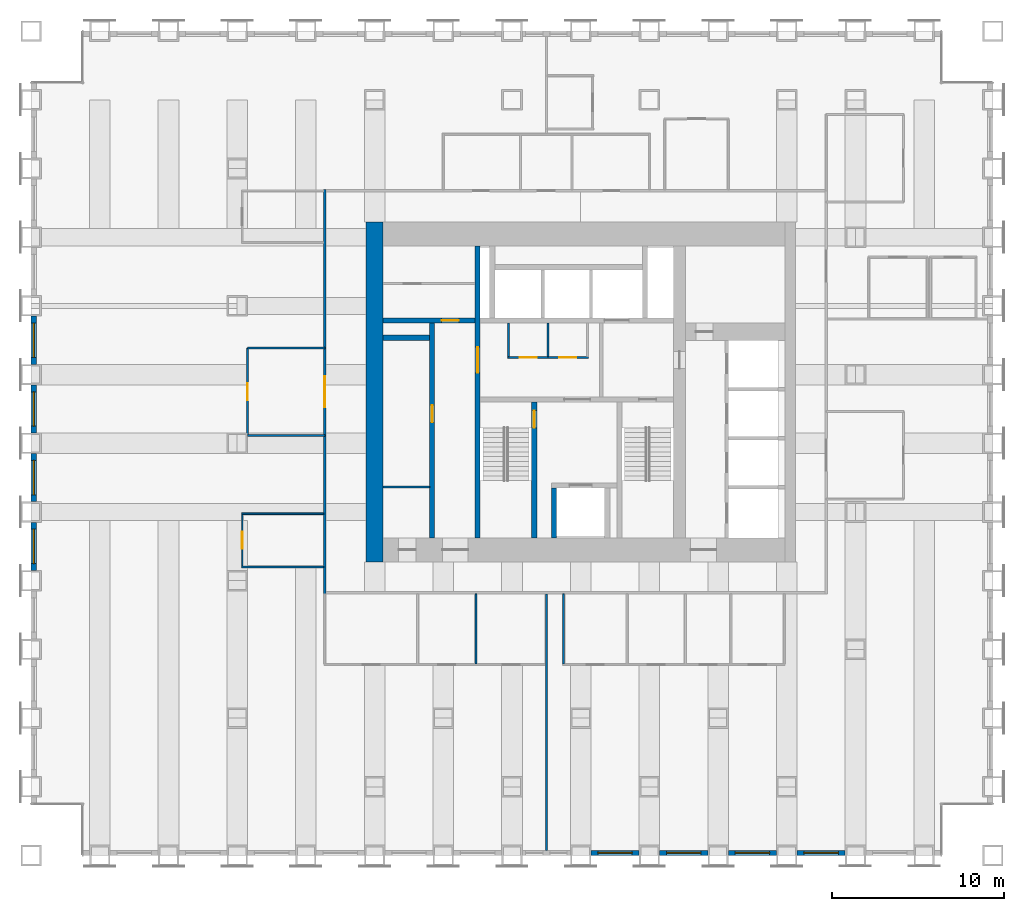
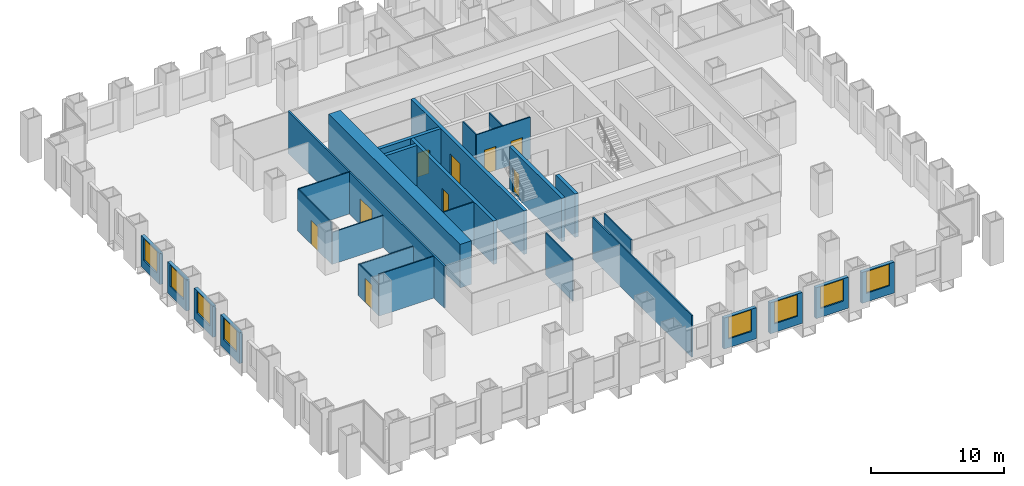
# One storey, part 8 of 14: 29 walls, 9 doors, 8 windows, 17 openings.
"""IFC4 building model written with IfcOpenShell, lengths in metres."""

from ifc_helpers import new_model, si_unit, direction, frame, frame_2d, origin, place, context, subcontext, project, spatial, rectangle, extrude, material, layer, layer_set, type_object, element, fill, save


model = new_model("IFC4")

# Units and contexts
model_context = context("Model", 3, precision=1e-05, world=origin(), true_north=direction((0.0, 1.0)))
body_context = subcontext(model_context, "Body", "Model", "MODEL_VIEW")
ifc_project = project(units=[si_unit("LENGTHUNIT", "METRE"), si_unit("AREAUNIT", "SQUARE_METRE"), si_unit("VOLUMEUNIT", "CUBIC_METRE"), si_unit("PLANEANGLEUNIT", "RADIAN"), si_unit("MASSUNIT", "GRAM", prefix="KILO")], contexts=[model_context])

# Site, building, storey
site_placement = place(None, origin())
site = spatial("IfcSite", under=ifc_project, at=site_placement, CompositionType="ELEMENT")
building_placement = place(site_placement, origin())
building = spatial("IfcBuilding", under=site, at=building_placement, Name="Rimbunsela Tower", CompositionType="ELEMENT")
storey_placement = place(building_placement, frame((0.0, 0.0, 47.0)))
storey = spatial("IfcBuildingStorey", under=building, at=storey_placement, Name="L11", CompositionType="ELEMENT", Elevation=47.0)

# Wall, opening, door
ifc_material_1 = material(Name="Concrete fc' 80 MPa", Category="concrete")
ifc_layer_1 = layer(ifc_material_1, 0.300048828125)
ifc_layer_set_1 = layer_set([ifc_layer_1], Name="Core internal wall 300")
wall_type_1 = type_object("IfcWallType", Name="Core internal wall 300", PredefinedType="SHEAR", material=ifc_layer_set_1)
wall_1_placement = place(storey_placement, frame((24.0, 18.5, -0.14990234375), z_axis=(0.0, 0.0, 1.0), x_axis=(0.0, 1.0, 0.0)))
wall_1 = element("IfcWall", 1, at=wall_1_placement, inside=storey, type_object=wall_type_1, Name="Core wall at stair A", PredefinedType="SHEAR", context=body_context, shape_type="SweptSolid", body=[
    extrude(rectangle(XDim=17.0, YDim=0.300048828125, at=frame_2d((8.5, 0.0))), origin(), (0.0, 0.0, 1.0), 4.0),
])
opening_1_placement = place(wall_1_placement, frame((9.60009765625, 0.0, 0.14990234375)))
opening_1 = element("IfcOpeningElement", 2, at=opening_1_placement, cuts=wall_1, Name="Opening D03", PredefinedType="OPENING", context=body_context, shape_type="SweptSolid", body=[
    extrude(rectangle(XDim=1.5, YDim=2.39990234375, at=frame_2d((0.75, 1.199951171875))), frame((0.0, 0.159912109375, 0.0), z_axis=(0.0, -1.0, 0.0), x_axis=(1.0, 0.0, 0.0)), (0.0, 0.0, 1.0), 0.320068359375),
])
ifc_material_2 = material(Name="Steel door, fire rated", Category="steel")
door_type_1 = type_object("IfcDoorType", Name="Core lobby door 1500", OperationType="DOUBLE_DOOR_DOUBLE_SWING", PredefinedType="DOOR", material=ifc_material_2)
door_1_placement = place(opening_1_placement, origin())
door_1 = element("IfcDoor", 3, at=door_1_placement, inside=storey, type_object=door_type_1, Name="West lobby door", OperationType="DOUBLE_DOOR_DOUBLE_SWING", OverallHeight=2.39990234375, OverallWidth=1.5, PredefinedType="DOOR", context=body_context, shape_type="SweptSolid", body=[
    extrude(rectangle(XDim=1.5, YDim=2.39990234375, at=frame_2d((0.75, 1.199951171875))), frame((0.0, 0.02490234375, 0.0), z_axis=(0.0, -1.0, 0.0), x_axis=(1.0, 0.0, 0.0)), (0.0, 0.0, 1.0), 0.050048828125),
])
fill(opening_1, door_1)

wall_2_placement = place(storey_placement, frame((27.300048828125, 18.5, -0.14990234375), z_axis=(0.0, 0.0, 1.0), x_axis=(0.0, 1.0, 0.0)))
wall_2 = element("IfcWall", 4, at=wall_2_placement, inside=storey, type_object=wall_type_1, Name="Stair A enclosure", PredefinedType="SHEAR", context=body_context, shape_type="SweptSolid", body=[
    extrude(rectangle(XDim=7.89990234375, YDim=0.300048828125, at=frame_2d((3.949951171875, 0.0))), origin(), (0.0, 0.0, 1.0), 4.0),
])
opening_2_placement = place(wall_2_placement, frame((6.39990234375, 0.0, 0.14990234375)))
opening_2 = element("IfcOpeningElement", 5, at=opening_2_placement, cuts=wall_2, Name="Opening D01", PredefinedType="OPENING", context=body_context, shape_type="SweptSolid", body=[
    extrude(rectangle(XDim=1.0, YDim=2.199951171875, at=frame_2d((0.5, 1.10009765625))), frame((0.0, 0.159912109375, 0.0), z_axis=(0.0, -1.0, 0.0), x_axis=(1.0, 0.0, 0.0)), (0.0, 0.0, 1.0), 0.320068359375),
])
ifc_material_3 = material(Name="Steel door, fire rated", Category="steel")
door_type_2 = type_object("IfcDoorType", Name="Stair door 1000", OperationType="SINGLE_SWING_RIGHT", PredefinedType="DOOR", material=ifc_material_3)
door_2_placement = place(opening_2_placement, origin())
door_2 = element("IfcDoor", 6, at=door_2_placement, inside=storey, type_object=door_type_2, Name="Stair A door", OperationType="SINGLE_SWING_RIGHT", OverallHeight=2.199951171875, OverallWidth=1.0, PredefinedType="DOOR", context=body_context, shape_type="SweptSolid", body=[
    extrude(rectangle(XDim=1.0, YDim=2.199951171875, at=frame_2d((0.5, 1.10009765625))), frame((0.0, 0.02490234375, 0.0), z_axis=(0.0, -1.0, 0.0), x_axis=(1.0, 0.0, 0.0)), (0.0, 0.0, 1.0), 0.050048828125),
])
fill(opening_2, door_2)

# Wall
wall_3_placement = place(storey_placement, frame((28.449951171875, 18.5, -0.14990234375), z_axis=(0.0, 0.0, 1.0), x_axis=(0.0, 1.0, 0.0)))
element("IfcWall", 7, at=wall_3_placement, inside=storey, type_object=wall_type_1, Name="Firefighting lift shaft west", PredefinedType="SHEAR", context=body_context, shape_type="SweptSolid", body=[
    extrude(rectangle(XDim=2.89990234375, YDim=0.300048828125, at=frame_2d((1.449951171875, 0.0))), origin(), (0.0, 0.0, 1.0), 4.0),
])

# Wall, opening, door
wall_4_placement = place(storey_placement, frame((21.35009765625, 18.5, -0.14990234375), z_axis=(0.0, 0.0, 1.0), x_axis=(0.0, 1.0, 0.0)))
wall_4 = element("IfcWall", 8, at=wall_4_placement, inside=storey, type_object=wall_type_1, Name="Lift shaft front west", PredefinedType="SHEAR", context=body_context, shape_type="SweptSolid", body=[
    extrude(rectangle(XDim=12.5, YDim=0.300048828125, at=frame_2d((6.25, 0.0))), origin(), (0.0, 0.0, 1.0), 4.0),
])
opening_3_placement = place(wall_4_placement, frame((6.72509765625, 0.0, 0.14990234375)))
opening_3 = element("IfcOpeningElement", 9, at=opening_3_placement, cuts=wall_4, Name="Opening D19", PredefinedType="OPENING", context=body_context, shape_type="SweptSolid", body=[
    extrude(rectangle(XDim=1.0, YDim=2.199951171875, at=frame_2d((0.5, 1.10009765625))), frame((0.0, 0.159912109375, 0.0), z_axis=(0.0, -1.0, 0.0), x_axis=(1.0, 0.0, 0.0)), (0.0, 0.0, 1.0), 0.320068359375),
])
ifc_material_4 = material(Name="Steel door, fire rated", Category="steel")
door_type_3 = type_object("IfcDoorType", Name="Service door 1000 fire rated", OperationType="SINGLE_SWING_LEFT", PredefinedType="DOOR", material=ifc_material_4)
door_3_placement = place(opening_3_placement, origin())
door_3 = element("IfcDoor", 10, at=door_3_placement, inside=storey, type_object=door_type_3, Name="Housekeeping store door", OperationType="SINGLE_SWING_LEFT", OverallHeight=2.199951171875, OverallWidth=1.0, PredefinedType="DOOR", context=body_context, shape_type="SweptSolid", body=[
    extrude(rectangle(XDim=1.0, YDim=2.199951171875, at=frame_2d((0.5, 1.10009765625))), frame((0.0, 0.02490234375, 0.0), z_axis=(0.0, -1.0, 0.0), x_axis=(1.0, 0.0, 0.0)), (0.0, 0.0, 1.0), 0.050048828125),
])
fill(opening_3, door_3)

wall_5_placement = place(storey_placement, frame((18.5, 31.14990234375, -0.14990234375), z_axis=(0.0, 0.0, 1.0), x_axis=(1.0, 0.0, 0.0)))
wall_5 = element("IfcWall", 11, at=wall_5_placement, inside=storey, type_object=wall_type_1, Name="Store wall", PredefinedType="SHEAR", context=body_context, shape_type="SweptSolid", body=[
    extrude(rectangle(XDim=5.35009765625, YDim=0.300048828125, at=frame_2d((2.675048828125, 0.0))), origin(), (0.0, 0.0, 1.0), 4.0),
])
opening_4_placement = place(wall_5_placement, frame((3.39990234375, 0.0, 0.14990234375)))
opening_4 = element("IfcOpeningElement", 12, at=opening_4_placement, cuts=wall_5, Name="Opening D19", PredefinedType="OPENING", context=body_context, shape_type="SweptSolid", body=[
    extrude(rectangle(XDim=1.0, YDim=2.199951171875, at=frame_2d((0.5, 1.10009765625))), frame((0.0, 0.159912109375, 0.0), z_axis=(0.0, -1.0, 0.0), x_axis=(1.0, 0.0, 0.0)), (0.0, 0.0, 1.0), 0.320068359375),
])
door_4_placement = place(opening_4_placement, origin())
door_4 = element("IfcDoor", 13, at=door_4_placement, inside=storey, type_object=door_type_3, Name="Facilities store door", OperationType="SINGLE_SWING_LEFT", OverallHeight=2.199951171875, OverallWidth=1.0, PredefinedType="DOOR", context=body_context, shape_type="SweptSolid", body=[
    extrude(rectangle(XDim=1.0, YDim=2.199951171875, at=frame_2d((0.5, 1.10009765625))), frame((0.0, 0.02490234375, 0.0), z_axis=(0.0, -1.0, 0.0), x_axis=(1.0, 0.0, 0.0)), (0.0, 0.0, 1.0), 0.050048828125),
])
fill(opening_4, door_4)

# Wall
wall_6_placement = place(storey_placement, frame((18.5, 30.14990234375, -0.14990234375), z_axis=(0.0, 0.0, 1.0), x_axis=(1.0, 0.0, 0.0)))
element("IfcWall", 14, at=wall_6_placement, inside=storey, type_object=wall_type_1, Name="Lift shaft rear west", PredefinedType="SHEAR", context=body_context, shape_type="SweptSolid", body=[
    extrude(rectangle(XDim=2.699951171875, YDim=0.300048828125, at=frame_2d((1.35009765625, 0.0))), origin(), (0.0, 0.0, 1.0), 4.0),
])

# Wall, openings, doors
ifc_material_5 = material(Name="Concrete blockwork", Category="masonry")
ifc_layer_2 = layer(ifc_material_5, 0.10009765625)
ifc_layer_set_2 = layer_set([ifc_layer_2], Name="Core room partition 100")
wall_type_2 = type_object("IfcWallType", Name="Core room partition 100", PredefinedType="PARTITIONING", material=ifc_layer_set_2)
wall_7_placement = place(storey_placement, frame((25.75, 29.0, 0.0), z_axis=(0.0, 0.0, 1.0), x_axis=(1.0, 0.0, 0.0)))
wall_7 = element("IfcWall", 15, at=wall_7_placement, inside=storey, type_object=wall_type_2, Name="Lobby room wall", PredefinedType="PARTITIONING", context=body_context, shape_type="SweptSolid", body=[
    extrude(rectangle(XDim=4.699951171875, YDim=0.10009765625, at=frame_2d((2.35009765625, 0.0))), origin(), (0.0, 0.0, 1.0), 3.85009765625),
])
opening_5_placement = place(wall_7_placement, frame((0.699951171875, 0.0, 0.0)))
opening_5 = element("IfcOpeningElement", 16, at=opening_5_placement, cuts=wall_7, Name="Opening D19", PredefinedType="OPENING", context=body_context, shape_type="SweptSolid", body=[
    extrude(rectangle(XDim=1.0, YDim=2.199951171875, at=frame_2d((0.5, 1.10009765625))), frame((0.0, 0.06005859375, 0.0), z_axis=(0.0, -1.0, 0.0), x_axis=(1.0, 0.0, 0.0)), (0.0, 0.0, 1.0), 0.1201171875),
])
opening_6_placement = place(wall_7_placement, frame((3.0, 0.0, 0.0)))
opening_6 = element("IfcOpeningElement", 17, at=opening_6_placement, cuts=wall_7, Name="Opening D19", PredefinedType="OPENING", context=body_context, shape_type="SweptSolid", body=[
    extrude(rectangle(XDim=1.0, YDim=2.199951171875, at=frame_2d((0.5, 1.10009765625))), frame((0.0, 0.06005859375, 0.0), z_axis=(0.0, -1.0, 0.0), x_axis=(1.0, 0.0, 0.0)), (0.0, 0.0, 1.0), 0.1201171875),
])
door_5_placement = place(opening_5_placement, origin())
door_5 = element("IfcDoor", 18, at=door_5_placement, inside=storey, type_object=door_type_3, Name="Staff WC door", OperationType="SINGLE_SWING_LEFT", OverallHeight=2.199951171875, OverallWidth=1.0, PredefinedType="DOOR", context=body_context, shape_type="SweptSolid", body=[
    extrude(rectangle(XDim=1.0, YDim=2.199951171875, at=frame_2d((0.5, 1.10009765625))), frame((0.0, 0.02490234375, 0.0), z_axis=(0.0, -1.0, 0.0), x_axis=(1.0, 0.0, 0.0)), (0.0, 0.0, 1.0), 0.050048828125),
])
fill(opening_5, door_5)
door_6_placement = place(opening_6_placement, origin())
door_6 = element("IfcDoor", 19, at=door_6_placement, inside=storey, type_object=door_type_3, Name="Cleaners store door", OperationType="SINGLE_SWING_LEFT", OverallHeight=2.199951171875, OverallWidth=1.0, PredefinedType="DOOR", context=body_context, shape_type="SweptSolid", body=[
    extrude(rectangle(XDim=1.0, YDim=2.199951171875, at=frame_2d((0.5, 1.10009765625))), frame((0.0, 0.02490234375, 0.0), z_axis=(0.0, -1.0, 0.0), x_axis=(1.0, 0.0, 0.0)), (0.0, 0.0, 1.0), 0.050048828125),
])
fill(opening_6, door_6)

# Walls
for number, where, z_axis, x_axis, name in (
    (20, (25.800048828125, 29.050048828125, 0.0), (0.0, 0.0, 1.0), (0.0, 1.0, 0.0), "Lobby room wall"),
    (21, (28.10009765625, 29.050048828125, 0.0), (0.0, 0.0, 1.0), (0.0, 1.0, 0.0), "Lobby room wall"),
):
    element("IfcWall", number, at=place(storey_placement, frame(where, z_axis=z_axis, x_axis=x_axis)), inside=storey, type_object=wall_type_2, Name=name, PredefinedType="PARTITIONING", context=body_context, shape_type="SweptSolid", body=[
        extrude(rectangle(XDim=1.949951171875, YDim=0.10009765625, at=frame_2d((0.97509765625, 0.0))), origin(), (0.0, 0.0, 1.0), 3.85009765625),
    ])
wall_8_placement = place(storey_placement, frame((18.5, 21.449951171875, 0.0), z_axis=(0.0, 0.0, 1.0), x_axis=(1.0, 0.0, 0.0)))
element("IfcWall", 22, at=wall_8_placement, inside=storey, type_object=wall_type_2, Name="Housekeeping store wall", PredefinedType="PARTITIONING", context=body_context, shape_type="SweptSolid", body=[
    extrude(rectangle(XDim=2.699951171875, YDim=0.10009765625, at=frame_2d((1.35009765625, 0.0))), origin(), (0.0, 0.0, 1.0), 3.85009765625),
])
ifc_material_6 = material(Name="Concrete fc' 80 MPa", Category="concrete")
ifc_layer_3 = layer(ifc_material_6, 1.0)
ifc_layer_set_3 = layer_set([ifc_layer_3], Name="Core wall 1000")
wall_type_3 = type_object("IfcWallType", Name="Core wall 1000", PredefinedType="SHEAR", material=ifc_layer_set_3)
wall_9_placement = place(storey_placement, frame((18.0, 17.10009765625, -0.14990234375), z_axis=(0.0, 0.0, 1.0), x_axis=(0.0, 1.0, 0.0)))
element("IfcWall", 23, at=wall_9_placement, inside=storey, type_object=wall_type_3, Name="Core wall west", PredefinedType="SHEAR", context=body_context, shape_type="SweptSolid", body=[
    extrude(rectangle(XDim=19.7998046875, YDim=1.0, at=frame_2d((9.89990234375, 0.0))), origin(), (0.0, 0.0, 1.0), 4.0),
])
ifc_material_7 = material(Name="Gypsum board on steel studs", Category="steel")
ifc_layer_4 = layer(ifc_material_7, 0.10009765625)
ifc_layer_set_4 = layer_set([ifc_layer_4], Name="Office partition 100")
wall_type_4 = type_object("IfcWallType", Name="Office partition 100", PredefinedType="PARTITIONING", material=ifc_layer_set_4)
wall_10_placement = place(storey_placement, frame((10.25, 16.800048828125, 0.0), z_axis=(0.0, 0.0, 1.0), x_axis=(1.0, 0.0, 0.0)))
element("IfcWall", 24, at=wall_10_placement, inside=storey, type_object=wall_type_4, Name="Office partition", PredefinedType="PARTITIONING", context=body_context, shape_type="SweptSolid", body=[
    extrude(rectangle(XDim=4.77490234375, YDim=0.10009765625, at=frame_2d((2.387451171875, 0.0))), origin(), (0.0, 0.0, 1.0), 3.85009765625),
])
wall_11_placement = place(storey_placement, frame((10.25, 19.89990234375, 0.0), z_axis=(0.0, 0.0, 1.0), x_axis=(1.0, 0.0, 0.0)))
element("IfcWall", 25, at=wall_11_placement, inside=storey, type_object=wall_type_4, Name="Office partition", PredefinedType="PARTITIONING", context=body_context, shape_type="SweptSolid", body=[
    extrude(rectangle(XDim=4.77490234375, YDim=0.10009765625, at=frame_2d((2.387451171875, 0.0))), origin(), (0.0, 0.0, 1.0), 2.85009765625),
])

# Wall, opening, door
wall_12_placement = place(storey_placement, frame((10.300048828125, 16.85009765625, 0.0), z_axis=(0.0, 0.0, 1.0), x_axis=(0.0, 1.0, 0.0)))
wall_12 = element("IfcWall", 26, at=wall_12_placement, inside=storey, type_object=wall_type_4, Name="Office partition", PredefinedType="PARTITIONING", context=body_context, shape_type="SweptSolid", body=[
    extrude(rectangle(XDim=3.0, YDim=0.10009765625, at=frame_2d((1.5, 0.0))), origin(), (0.0, 0.0, 1.0), 2.949951171875),
])
opening_7_placement = place(wall_12_placement, frame((1.0, 0.0, 0.0)))
opening_7 = element("IfcOpeningElement", 27, at=opening_7_placement, cuts=wall_12, Name="Opening D16", PredefinedType="OPENING", context=body_context, shape_type="SweptSolid", body=[
    extrude(rectangle(XDim=1.0, YDim=2.199951171875, at=frame_2d((0.5, 1.10009765625))), frame((0.0, 0.06005859375, 0.0), z_axis=(0.0, -1.0, 0.0), x_axis=(1.0, 0.0, 0.0)), (0.0, 0.0, 1.0), 0.1201171875),
])
ifc_material_8 = material(Name="Timber door", Category="wood")
door_type_4 = type_object("IfcDoorType", Name="Office door 1000", OperationType="SINGLE_SWING_LEFT", PredefinedType="DOOR", material=ifc_material_8)
door_7_placement = place(opening_7_placement, origin())
door_7 = element("IfcDoor", 28, at=door_7_placement, inside=storey, type_object=door_type_4, Name="Office door", OperationType="SINGLE_SWING_LEFT", OverallHeight=2.199951171875, OverallWidth=1.0, PredefinedType="DOOR", context=body_context, shape_type="SweptSolid", body=[
    extrude(rectangle(XDim=1.0, YDim=2.199951171875, at=frame_2d((0.5, 1.10009765625))), frame((0.0, 0.02490234375, 0.0), z_axis=(0.0, -1.0, 0.0), x_axis=(1.0, 0.0, 0.0)), (0.0, 0.0, 1.0), 0.050048828125),
])
fill(opening_7, door_7)

# Walls
for number, where, z_axis, x_axis, name in (
    (29, (23.89990234375, 11.14990234375, 0.0), (0.0, 0.0, 1.0), (0.0, 1.0, 0.0), "Office partition"),
    (30, (28.9990234375, 11.14990234375, 0.0), (0.0, 0.0, 1.0), (0.0, 1.0, 0.0), "Office partition"),
):
    element("IfcWall", number, at=place(storey_placement, frame(where, z_axis=z_axis, x_axis=x_axis)), inside=storey, type_object=wall_type_4, Name=name, PredefinedType="PARTITIONING", context=body_context, shape_type="SweptSolid", body=[
        extrude(rectangle(XDim=4.0751953125, YDim=0.10009765625, at=frame_2d((2.03759765625, 0.0))), origin(), (0.0, 0.0, 1.0), 3.85009765625),
    ])
wall_13_placement = place(storey_placement, frame((15.10009765625, 29.550048828125, 0.0), z_axis=(0.0, 0.0, 1.0), x_axis=(-1.0, 0.0, 0.0)))
element("IfcWall", 31, at=wall_13_placement, inside=storey, type_object=wall_type_4, Name="Office partition", PredefinedType="PARTITIONING", context=body_context, shape_type="SweptSolid", body=[
    extrude(rectangle(XDim=4.5, YDim=0.10009765625, at=frame_2d((2.25, 0.0))), origin(), (0.0, 0.0, 1.0), 3.85009765625),
])

# Wall, opening, door
wall_14_placement = place(storey_placement, frame((10.60009765625, 29.550048828125, 0.0), z_axis=(0.0, 0.0, 1.0), x_axis=(0.0, -1.0, 0.0)))
wall_14 = element("IfcWall", 32, at=wall_14_placement, inside=storey, type_object=wall_type_4, Name="Office partition", PredefinedType="PARTITIONING", context=body_context, shape_type="SweptSolid", body=[
    extrude(rectangle(XDim=5.10009765625, YDim=0.10009765625, at=frame_2d((2.550048828125, 0.0))), origin(), (0.0, 0.0, 1.0), 3.85009765625),
])
opening_8_placement = place(wall_14_placement, frame((2.050048828125, 0.0, 0.0)))
opening_8 = element("IfcOpeningElement", 33, at=opening_8_placement, cuts=wall_14, Name="Opening D17", PredefinedType="OPENING", context=body_context, shape_type="SweptSolid", body=[
    extrude(rectangle(XDim=1.0, YDim=2.199951171875, at=frame_2d((0.5, 1.10009765625))), frame((0.0, 0.06005859375, 0.0), z_axis=(0.0, -1.0, 0.0), x_axis=(1.0, 0.0, 0.0)), (0.0, 0.0, 1.0), 0.1201171875),
])
ifc_material_9 = material(Name="Glazed aluminium door", Category="aluminium")
door_type_5 = type_object("IfcDoorType", Name="Meeting room door 1000 glazed", OperationType="SINGLE_SWING_RIGHT", PredefinedType="DOOR", material=ifc_material_9)
door_8_placement = place(opening_8_placement, origin())
door_8 = element("IfcDoor", 34, at=door_8_placement, inside=storey, type_object=door_type_5, Name="Reception door", OperationType="SINGLE_SWING_RIGHT", OverallHeight=2.199951171875, OverallWidth=1.0, PredefinedType="DOOR", context=body_context, shape_type="SweptSolid", body=[
    extrude(rectangle(XDim=1.0, YDim=2.199951171875, at=frame_2d((0.5, 1.10009765625))), frame((0.0, 0.02490234375, 0.0), z_axis=(0.0, -1.0, 0.0), x_axis=(1.0, 0.0, 0.0)), (0.0, 0.0, 1.0), 0.050048828125),
])
fill(opening_8, door_8)

# Wall
wall_15_placement = place(storey_placement, frame((10.60009765625, 24.449951171875, 0.0), z_axis=(0.0, 0.0, 1.0), x_axis=(1.0, 0.0, 0.0)))
element("IfcWall", 35, at=wall_15_placement, inside=storey, type_object=wall_type_4, Name="Office partition", PredefinedType="PARTITIONING", context=body_context, shape_type="SweptSolid", body=[
    extrude(rectangle(XDim=4.5, YDim=0.10009765625, at=frame_2d((2.25, 0.0))), origin(), (0.0, 0.0, 1.0), 2.949951171875),
])

# Wall, opening, window
ifc_material_10 = material(Name="Precast concrete fc' 35 MPa", Category="concrete")
ifc_layer_5 = layer(ifc_material_10, 0.300048828125)
ifc_layer_set_5 = layer_set([ifc_layer_5], Name="Precast concrete fc' 35 MPa")
wall_type_5 = type_object("IfcWallType", Name="Precast facade panel 300", PredefinedType="ELEMENTEDWALL", material=ifc_layer_set_5)
wall_16_placement = place(storey_placement, frame((30.60009765625, 0.14990234375, 0.0), z_axis=(0.0, 0.0, 1.0), x_axis=(1.0, 0.0, 0.0)))
wall_16 = element("IfcWall", 36, at=wall_16_placement, inside=storey, type_object=wall_type_5, Name="Facade panel S L11", PredefinedType="ELEMENTEDWALL", context=body_context, shape_type="SweptSolid", body=[
    extrude(rectangle(XDim=2.7998046875, YDim=0.300048828125, at=frame_2d((1.39990234375, 0.0))), origin(), (0.0, 0.0, 1.0), 2.85009765625),
])
opening_9_placement = place(wall_16_placement, frame((0.39990234375, 0.0, 0.800048828125)))
opening_9 = element("IfcOpeningElement", 37, at=opening_9_placement, cuts=wall_16, Name="Opening W1", PredefinedType="OPENING", context=body_context, shape_type="SweptSolid", body=[
    extrude(rectangle(XDim=2.0, YDim=2.0, at=frame_2d((1.0, 1.0))), frame((0.0, 0.159912109375, 0.0), z_axis=(0.0, -1.0, 0.0), x_axis=(1.0, 0.0, 0.0)), (0.0, 0.0, 1.0), 0.320068359375),
])
ifc_material_11 = material(Name="Clear glass in aluminium frame", Category="aluminium")
window_type = type_object("IfcWindowType", Name="Window W1 2000x2000", PartitioningType="DOUBLE_PANEL_VERTICAL", PredefinedType="WINDOW", material=ifc_material_11)
window_1_placement = place(opening_9_placement, origin())
window_1 = element("IfcWindow", 38, at=window_1_placement, inside=storey, type_object=window_type, Name="Window L11", OverallHeight=2.0, OverallWidth=2.0, PartitioningType="SINGLE_PANEL", PredefinedType="WINDOW", context=body_context, shape_type="SweptSolid", body=[
    extrude(rectangle(XDim=2.0, YDim=2.0, at=frame_2d((1.0, 1.0))), frame((0.0, 0.030029296875, 0.0), z_axis=(0.0, -1.0, 0.0), x_axis=(1.0, 0.0, 0.0)), (0.0, 0.0, 1.0), 0.06005859375),
])
fill(opening_9, window_1)

wall_17_placement = place(storey_placement, frame((34.60009765625, 0.14990234375, 0.0), z_axis=(0.0, 0.0, 1.0), x_axis=(1.0, 0.0, 0.0)))
wall_17 = element("IfcWall", 39, at=wall_17_placement, inside=storey, type_object=wall_type_5, Name="Facade panel S L11", PredefinedType="ELEMENTEDWALL", context=body_context, shape_type="SweptSolid", body=[
    extrude(rectangle(XDim=2.7998046875, YDim=0.300048828125, at=frame_2d((1.39990234375, 0.0))), origin(), (0.0, 0.0, 1.0), 2.85009765625),
])
opening_10_placement = place(wall_17_placement, frame((0.39990234375, 0.0, 0.800048828125)))
opening_10 = element("IfcOpeningElement", 40, at=opening_10_placement, cuts=wall_17, Name="Opening W1", PredefinedType="OPENING", context=body_context, shape_type="SweptSolid", body=[
    extrude(rectangle(XDim=2.0, YDim=2.0, at=frame_2d((1.0, 1.0))), frame((0.0, 0.159912109375, 0.0), z_axis=(0.0, -1.0, 0.0), x_axis=(1.0, 0.0, 0.0)), (0.0, 0.0, 1.0), 0.320068359375),
])
window_2_placement = place(opening_10_placement, origin())
window_2 = element("IfcWindow", 41, at=window_2_placement, inside=storey, type_object=window_type, Name="Window L11", OverallHeight=2.0, OverallWidth=2.0, PartitioningType="SINGLE_PANEL", PredefinedType="WINDOW", context=body_context, shape_type="SweptSolid", body=[
    extrude(rectangle(XDim=2.0, YDim=2.0, at=frame_2d((1.0, 1.0))), frame((0.0, 0.030029296875, 0.0), z_axis=(0.0, -1.0, 0.0), x_axis=(1.0, 0.0, 0.0)), (0.0, 0.0, 1.0), 0.06005859375),
])
fill(opening_10, window_2)

wall_18_placement = place(storey_placement, frame((38.60009765625, 0.14990234375, 0.0), z_axis=(0.0, 0.0, 1.0), x_axis=(1.0, 0.0, 0.0)))
wall_18 = element("IfcWall", 42, at=wall_18_placement, inside=storey, type_object=wall_type_5, Name="Facade panel S L11", PredefinedType="ELEMENTEDWALL", context=body_context, shape_type="SweptSolid", body=[
    extrude(rectangle(XDim=2.7998046875, YDim=0.300048828125, at=frame_2d((1.39990234375, 0.0))), origin(), (0.0, 0.0, 1.0), 2.85009765625),
])
opening_11_placement = place(wall_18_placement, frame((0.39990234375, 0.0, 0.800048828125)))
opening_11 = element("IfcOpeningElement", 43, at=opening_11_placement, cuts=wall_18, Name="Opening W1", PredefinedType="OPENING", context=body_context, shape_type="SweptSolid", body=[
    extrude(rectangle(XDim=2.0, YDim=2.0, at=frame_2d((1.0, 1.0))), frame((0.0, 0.159912109375, 0.0), z_axis=(0.0, -1.0, 0.0), x_axis=(1.0, 0.0, 0.0)), (0.0, 0.0, 1.0), 0.320068359375),
])
window_3_placement = place(opening_11_placement, origin())
window_3 = element("IfcWindow", 44, at=window_3_placement, inside=storey, type_object=window_type, Name="Window L11", OverallHeight=2.0, OverallWidth=2.0, PartitioningType="SINGLE_PANEL", PredefinedType="WINDOW", context=body_context, shape_type="SweptSolid", body=[
    extrude(rectangle(XDim=2.0, YDim=2.0, at=frame_2d((1.0, 1.0))), frame((0.0, 0.030029296875, 0.0), z_axis=(0.0, -1.0, 0.0), x_axis=(1.0, 0.0, 0.0)), (0.0, 0.0, 1.0), 0.06005859375),
])
fill(opening_11, window_3)

wall_19_placement = place(storey_placement, frame((42.60009765625, 0.14990234375, 0.0), z_axis=(0.0, 0.0, 1.0), x_axis=(1.0, 0.0, 0.0)))
wall_19 = element("IfcWall", 45, at=wall_19_placement, inside=storey, type_object=wall_type_5, Name="Facade panel S L11", PredefinedType="ELEMENTEDWALL", context=body_context, shape_type="SweptSolid", body=[
    extrude(rectangle(XDim=2.7998046875, YDim=0.300048828125, at=frame_2d((1.39990234375, 0.0))), origin(), (0.0, 0.0, 1.0), 2.85009765625),
])
opening_12_placement = place(wall_19_placement, frame((0.39990234375, 0.0, 0.800048828125)))
opening_12 = element("IfcOpeningElement", 46, at=opening_12_placement, cuts=wall_19, Name="Opening W1", PredefinedType="OPENING", context=body_context, shape_type="SweptSolid", body=[
    extrude(rectangle(XDim=2.0, YDim=2.0, at=frame_2d((1.0, 1.0))), frame((0.0, 0.159912109375, 0.0), z_axis=(0.0, -1.0, 0.0), x_axis=(1.0, 0.0, 0.0)), (0.0, 0.0, 1.0), 0.320068359375),
])
window_4_placement = place(opening_12_placement, origin())
window_4 = element("IfcWindow", 47, at=window_4_placement, inside=storey, type_object=window_type, Name="Window L11", OverallHeight=2.0, OverallWidth=2.0, PartitioningType="SINGLE_PANEL", PredefinedType="WINDOW", context=body_context, shape_type="SweptSolid", body=[
    extrude(rectangle(XDim=2.0, YDim=2.0, at=frame_2d((1.0, 1.0))), frame((0.0, 0.030029296875, 0.0), z_axis=(0.0, -1.0, 0.0), x_axis=(1.0, 0.0, 0.0)), (0.0, 0.0, 1.0), 0.06005859375),
])
fill(opening_12, window_4)

wall_20_placement = place(storey_placement, frame((-1.85009765625, 19.39990234375, 0.0), z_axis=(0.0, 0.0, 1.0), x_axis=(0.0, -1.0, 0.0)))
wall_20 = element("IfcWall", 48, at=wall_20_placement, inside=storey, type_object=wall_type_5, Name="Facade panel W L11", PredefinedType="ELEMENTEDWALL", context=body_context, shape_type="SweptSolid", body=[
    extrude(rectangle(XDim=2.7998046875, YDim=0.300048828125, at=frame_2d((1.39990234375, 0.0))), origin(), (0.0, 0.0, 1.0), 2.85009765625),
])
opening_13_placement = place(wall_20_placement, frame((0.39990234375, 0.0, 0.800048828125)))
opening_13 = element("IfcOpeningElement", 49, at=opening_13_placement, cuts=wall_20, Name="Opening W1", PredefinedType="OPENING", context=body_context, shape_type="SweptSolid", body=[
    extrude(rectangle(XDim=2.0, YDim=2.0, at=frame_2d((1.0, 1.0))), frame((0.0, 0.159912109375, 0.0), z_axis=(0.0, -1.0, 0.0), x_axis=(1.0, 0.0, 0.0)), (0.0, 0.0, 1.0), 0.320068359375),
])
window_5_placement = place(opening_13_placement, origin())
window_5 = element("IfcWindow", 50, at=window_5_placement, inside=storey, type_object=window_type, Name="Window L11", OverallHeight=2.0, OverallWidth=2.0, PartitioningType="SINGLE_PANEL", PredefinedType="WINDOW", context=body_context, shape_type="SweptSolid", body=[
    extrude(rectangle(XDim=2.0, YDim=2.0, at=frame_2d((1.0, 1.0))), frame((0.0, 0.030029296875, 0.0), z_axis=(0.0, -1.0, 0.0), x_axis=(1.0, 0.0, 0.0)), (0.0, 0.0, 1.0), 0.06005859375),
])
fill(opening_13, window_5)

wall_21_placement = place(storey_placement, frame((-1.85009765625, 23.39990234375, 0.0), z_axis=(0.0, 0.0, 1.0), x_axis=(0.0, -1.0, 0.0)))
wall_21 = element("IfcWall", 51, at=wall_21_placement, inside=storey, type_object=wall_type_5, Name="Facade panel W L11", PredefinedType="ELEMENTEDWALL", context=body_context, shape_type="SweptSolid", body=[
    extrude(rectangle(XDim=2.7998046875, YDim=0.300048828125, at=frame_2d((1.39990234375, 0.0))), origin(), (0.0, 0.0, 1.0), 2.85009765625),
])
opening_14_placement = place(wall_21_placement, frame((0.39990234375, 0.0, 0.800048828125)))
opening_14 = element("IfcOpeningElement", 52, at=opening_14_placement, cuts=wall_21, Name="Opening W1", PredefinedType="OPENING", context=body_context, shape_type="SweptSolid", body=[
    extrude(rectangle(XDim=2.0, YDim=2.0, at=frame_2d((1.0, 1.0))), frame((0.0, 0.159912109375, 0.0), z_axis=(0.0, -1.0, 0.0), x_axis=(1.0, 0.0, 0.0)), (0.0, 0.0, 1.0), 0.320068359375),
])
window_6_placement = place(opening_14_placement, origin())
window_6 = element("IfcWindow", 53, at=window_6_placement, inside=storey, type_object=window_type, Name="Window L11", OverallHeight=2.0, OverallWidth=2.0, PartitioningType="SINGLE_PANEL", PredefinedType="WINDOW", context=body_context, shape_type="SweptSolid", body=[
    extrude(rectangle(XDim=2.0, YDim=2.0, at=frame_2d((1.0, 1.0))), frame((0.0, 0.030029296875, 0.0), z_axis=(0.0, -1.0, 0.0), x_axis=(1.0, 0.0, 0.0)), (0.0, 0.0, 1.0), 0.06005859375),
])
fill(opening_14, window_6)

wall_22_placement = place(storey_placement, frame((-1.85009765625, 27.39990234375, 0.0), z_axis=(0.0, 0.0, 1.0), x_axis=(0.0, -1.0, 0.0)))
wall_22 = element("IfcWall", 54, at=wall_22_placement, inside=storey, type_object=wall_type_5, Name="Facade panel W L11", PredefinedType="ELEMENTEDWALL", context=body_context, shape_type="SweptSolid", body=[
    extrude(rectangle(XDim=2.7998046875, YDim=0.300048828125, at=frame_2d((1.39990234375, 0.0))), origin(), (0.0, 0.0, 1.0), 2.85009765625),
])
opening_15_placement = place(wall_22_placement, frame((0.39990234375, 0.0, 0.800048828125)))
opening_15 = element("IfcOpeningElement", 55, at=opening_15_placement, cuts=wall_22, Name="Opening W1", PredefinedType="OPENING", context=body_context, shape_type="SweptSolid", body=[
    extrude(rectangle(XDim=2.0, YDim=2.0, at=frame_2d((1.0, 1.0))), frame((0.0, 0.159912109375, 0.0), z_axis=(0.0, -1.0, 0.0), x_axis=(1.0, 0.0, 0.0)), (0.0, 0.0, 1.0), 0.320068359375),
])
window_7_placement = place(opening_15_placement, origin())
window_7 = element("IfcWindow", 56, at=window_7_placement, inside=storey, type_object=window_type, Name="Window L11", OverallHeight=2.0, OverallWidth=2.0, PartitioningType="SINGLE_PANEL", PredefinedType="WINDOW", context=body_context, shape_type="SweptSolid", body=[
    extrude(rectangle(XDim=2.0, YDim=2.0, at=frame_2d((1.0, 1.0))), frame((0.0, 0.030029296875, 0.0), z_axis=(0.0, -1.0, 0.0), x_axis=(1.0, 0.0, 0.0)), (0.0, 0.0, 1.0), 0.06005859375),
])
fill(opening_15, window_7)

wall_23_placement = place(storey_placement, frame((-1.85009765625, 31.39990234375, 0.0), z_axis=(0.0, 0.0, 1.0), x_axis=(0.0, -1.0, 0.0)))
wall_23 = element("IfcWall", 57, at=wall_23_placement, inside=storey, type_object=wall_type_5, Name="Facade panel W L11", PredefinedType="ELEMENTEDWALL", context=body_context, shape_type="SweptSolid", body=[
    extrude(rectangle(XDim=2.7998046875, YDim=0.300048828125, at=frame_2d((1.39990234375, 0.0))), origin(), (0.0, 0.0, 1.0), 2.85009765625),
])
opening_16_placement = place(wall_23_placement, frame((0.39990234375, 0.0, 0.800048828125)))
opening_16 = element("IfcOpeningElement", 58, at=opening_16_placement, cuts=wall_23, Name="Opening W1", PredefinedType="OPENING", context=body_context, shape_type="SweptSolid", body=[
    extrude(rectangle(XDim=2.0, YDim=2.0, at=frame_2d((1.0, 1.0))), frame((0.0, 0.159912109375, 0.0), z_axis=(0.0, -1.0, 0.0), x_axis=(1.0, 0.0, 0.0)), (0.0, 0.0, 1.0), 0.320068359375),
])
window_8_placement = place(opening_16_placement, origin())
window_8 = element("IfcWindow", 59, at=window_8_placement, inside=storey, type_object=window_type, Name="Window L11", OverallHeight=2.0, OverallWidth=2.0, PartitioningType="SINGLE_PANEL", PredefinedType="WINDOW", context=body_context, shape_type="SweptSolid", body=[
    extrude(rectangle(XDim=2.0, YDim=2.0, at=frame_2d((1.0, 1.0))), frame((0.0, 0.030029296875, 0.0), z_axis=(0.0, -1.0, 0.0), x_axis=(1.0, 0.0, 0.0)), (0.0, 0.0, 1.0), 0.06005859375),
])
fill(opening_16, window_8)

# Wall, opening, door
ifc_material_12 = material(Name="Fire-rated gypsum board on steel studs, EI 60", Category="steel")
ifc_layer_6 = layer(ifc_material_12, 0.14990234375)
ifc_layer_set_6 = layer_set([ifc_layer_6], Name="Rated corridor wall 150")
wall_type_6 = type_object("IfcWallType", Name="Rated corridor wall 150", PredefinedType="PARTITIONING", material=ifc_layer_set_6)
wall_24_placement = place(storey_placement, frame((15.10009765625, 15.22509765625, 0.0), z_axis=(0.0, 0.0, 1.0), x_axis=(0.0, 1.0, 0.0)))
wall_24 = element("IfcWall", 60, at=wall_24_placement, inside=storey, type_object=wall_type_6, Name="Corridor wall west", PredefinedType="PARTITIONING", context=body_context, shape_type="SweptSolid", body=[
    extrude(rectangle(XDim=23.5498046875, YDim=0.14990234375, at=frame_2d((11.77490234375, 0.0))), origin(), (0.0, 0.0, 1.0), 3.85009765625),
])
opening_17_placement = place(wall_24_placement, frame((10.875, 0.0, 0.0)))
opening_17 = element("IfcOpeningElement", 61, at=opening_17_placement, cuts=wall_24, Name="Opening D09", PredefinedType="OPENING", context=body_context, shape_type="SweptSolid", body=[
    extrude(rectangle(XDim=1.800048828125, YDim=2.39990234375, at=frame_2d((0.89990234375, 1.199951171875))), frame((0.0, 0.0849609375, 0.0), z_axis=(0.0, -1.0, 0.0), x_axis=(1.0, 0.0, 0.0)), (0.0, 0.0, 1.0), 0.169921875),
])
ifc_material_13 = material(Name="Glazed aluminium door, fire rated", Category="aluminium")
door_type_6 = type_object("IfcDoorType", Name="Tenancy door 1800 glazed", OperationType="DOUBLE_DOOR_DOUBLE_SWING", PredefinedType="DOOR", material=ifc_material_13)
door_9_placement = place(opening_17_placement, origin())
door_9 = element("IfcDoor", 62, at=door_9_placement, inside=storey, type_object=door_type_6, Name="Tenancy door", OperationType="DOUBLE_DOOR_DOUBLE_SWING", OverallHeight=2.39990234375, OverallWidth=1.800048828125, PredefinedType="DOOR", context=body_context, shape_type="SweptSolid", body=[
    extrude(rectangle(XDim=1.800048828125, YDim=2.39990234375, at=frame_2d((0.89990234375, 1.199951171875))), frame((0.0, 0.02490234375, 0.0), z_axis=(0.0, -1.0, 0.0), x_axis=(1.0, 0.0, 0.0)), (0.0, 0.0, 1.0), 0.050048828125),
])
fill(opening_17, door_9)

# Wall
ifc_material_14 = material(Name="Gypsum board on steel studs", Category="steel")
ifc_layer_7 = layer(ifc_material_14, 0.1201171875)
ifc_layer_set_7 = layer_set([ifc_layer_7], Name="Tenancy partition 120")
wall_type_7 = type_object("IfcWallType", Name="Tenancy partition 120", PredefinedType="PARTITIONING", material=ifc_layer_set_7)
wall_25_placement = place(storey_placement, frame((28.0, 0.300048828125, 0.0), z_axis=(0.0, 0.0, 1.0), x_axis=(0.0, 1.0, 0.0)))
element("IfcWall", 63, at=wall_25_placement, inside=storey, type_object=wall_type_7, Name="Tenancy partition south", PredefinedType="PARTITIONING", context=body_context, shape_type="SweptSolid", body=[
    extrude(rectangle(XDim=14.925048828125, YDim=0.1201171875, at=frame_2d((7.46240234375, 0.0))), origin(), (0.0, 0.0, 1.0), 3.85009765625),
])

save(model, "model.ifc")
